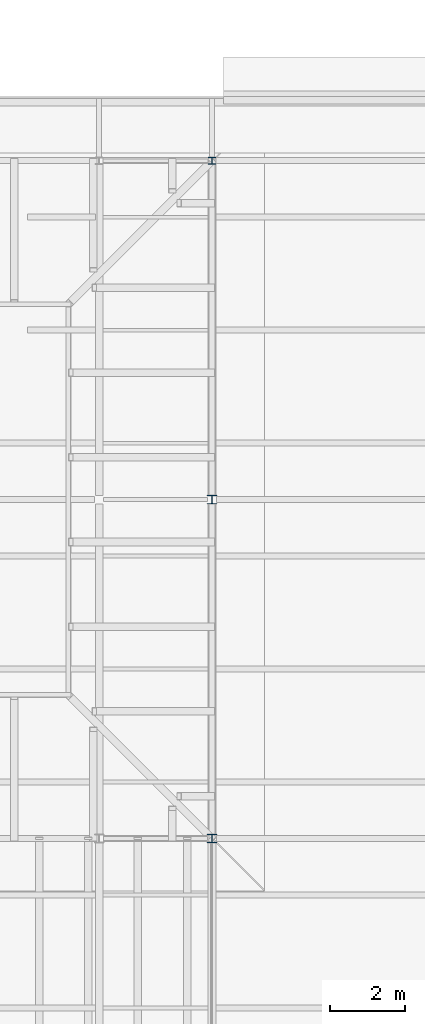
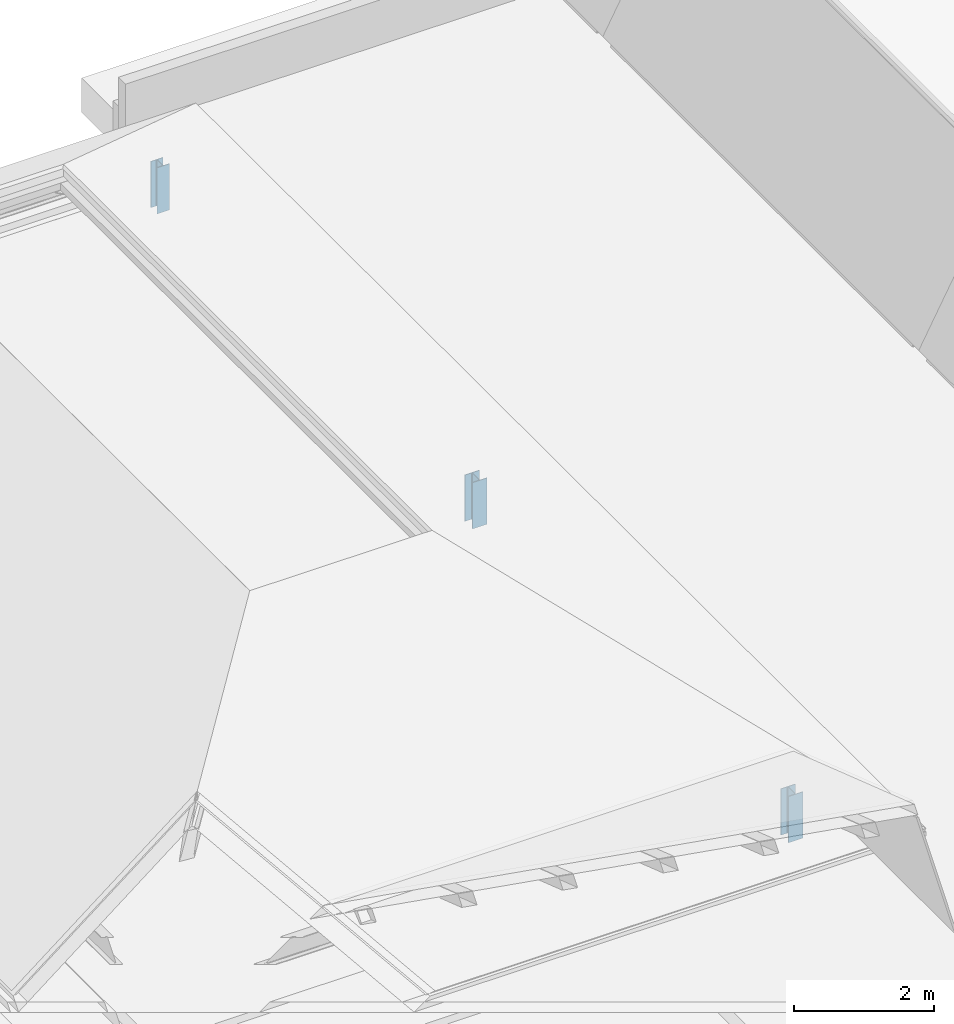
# One storey, part 14 of 121: 3 columns.
"""IFC4 building model written with IfcOpenShell, lengths in metres."""

from ifc_helpers import new_model, si_unit, direction, frame, origin, origin_2d, place, context, subcontext, project, spatial, i_section, extrude, material, material_profile, profile_set, type_object, element, save


model = new_model("IFC4")

# Units and contexts
model_context = context("Model", 3, precision=1e-05, world=origin(), true_north=direction((0.0, 1.0)))
body_context = subcontext(model_context, "Body", "Model", "MODEL_VIEW")
ifc_project = project(units=[si_unit("LENGTHUNIT", "METRE"), si_unit("AREAUNIT", "SQUARE_METRE"), si_unit("VOLUMEUNIT", "CUBIC_METRE"), si_unit("PLANEANGLEUNIT", "RADIAN"), si_unit("MASSUNIT", "GRAM", prefix="KILO")], contexts=[model_context])

# Site, building, storey
site_placement = place(None, origin())
site = spatial("IfcSite", under=ifc_project, at=site_placement, CompositionType="ELEMENT")
building_placement = place(site_placement, origin())
building = spatial("IfcBuilding", under=site, at=building_placement, Name="Golden Quay Civic Hall", CompositionType="ELEMENT")
storey_placement = place(building_placement, frame((0.0, 0.0, 18.60009765625)))
storey = spatial("IfcBuildingStorey", under=building, at=storey_placement, Name="L04", CompositionType="ELEMENT", Elevation=18.60009765625)

# Columns
ifc_material_1 = material(Name="Steel S355", Category="steel")
ifc_material_profile_1 = material_profile(ifc_material_1, i_section(OverallWidth=0.199951171875, OverallDepth=0.18994140625, WebThickness=0.006591796875, FlangeThickness=0.010009765625, FilletRadius=0.01806640625, at=origin_2d()), Name="HEA 200")
ifc_profile_set_1 = profile_set([ifc_material_profile_1], Name="Steel S355")
column_type_1 = type_object("IfcColumnType", Name="Steel roof post HEA 200", PredefinedType="COLUMN", material=ifc_profile_set_1)
column_placement = place(storey_placement, frame((64.5, 54.0, -0.25), z_axis=(0.0, 0.0, 1.0), x_axis=(1.0, 0.0, 0.0)))
element("IfcColumn", 1, at=column_placement, inside=storey, type_object=column_type_1, Name="Roof post 64.5/54", PredefinedType="COLUMN", context=body_context, shape_type="SweptSolid", body=[
    extrude(i_section(OverallWidth=0.199951171875, OverallDepth=0.18994140625, WebThickness=0.006591796875, FlangeThickness=0.010009765625, FilletRadius=0.01806640625, at=origin_2d()), origin(), (0.0, 0.0, 1.0), 0.804931640625),
])
ifc_material_2 = material(Name="Steel S355", Category="steel")
ifc_material_profile_2 = material_profile(ifc_material_2, i_section(OverallWidth=0.239990234375, OverallDepth=0.22998046875, WebThickness=0.007568359375, FlangeThickness=0.011962890625, FilletRadius=0.02099609375, at=origin_2d()), Name="HEA 240")
ifc_profile_set_2 = profile_set([ifc_material_profile_2], Name="Steel S355")
column_type_2 = type_object("IfcColumnType", Name="Steel roof post HEA 240", PredefinedType="COLUMN", material=ifc_profile_set_2)
for number, where, z_axis, x_axis, name in (
    (2, (64.5, 36.0, -0.25), (0.0, 0.0, 1.0), (1.0, 0.0, 0.0), "Roof post 64.5/36"),
    (3, (64.5, 45.0, -0.25), (0.0, 0.0, 1.0), (1.0, 0.0, 0.0), "Roof post 64.5/45"),
):
    element("IfcColumn", number, at=place(storey_placement, frame(where, z_axis=z_axis, x_axis=x_axis)), inside=storey, type_object=column_type_2, Name=name, PredefinedType="COLUMN", context=body_context, shape_type="SweptSolid", body=[
        extrude(i_section(OverallWidth=0.239990234375, OverallDepth=0.22998046875, WebThickness=0.007568359375, FlangeThickness=0.011962890625, FilletRadius=0.02099609375, at=origin_2d()), origin(), (0.0, 0.0, 1.0), 0.804931640625),
    ])

save(model, "model.ifc")
